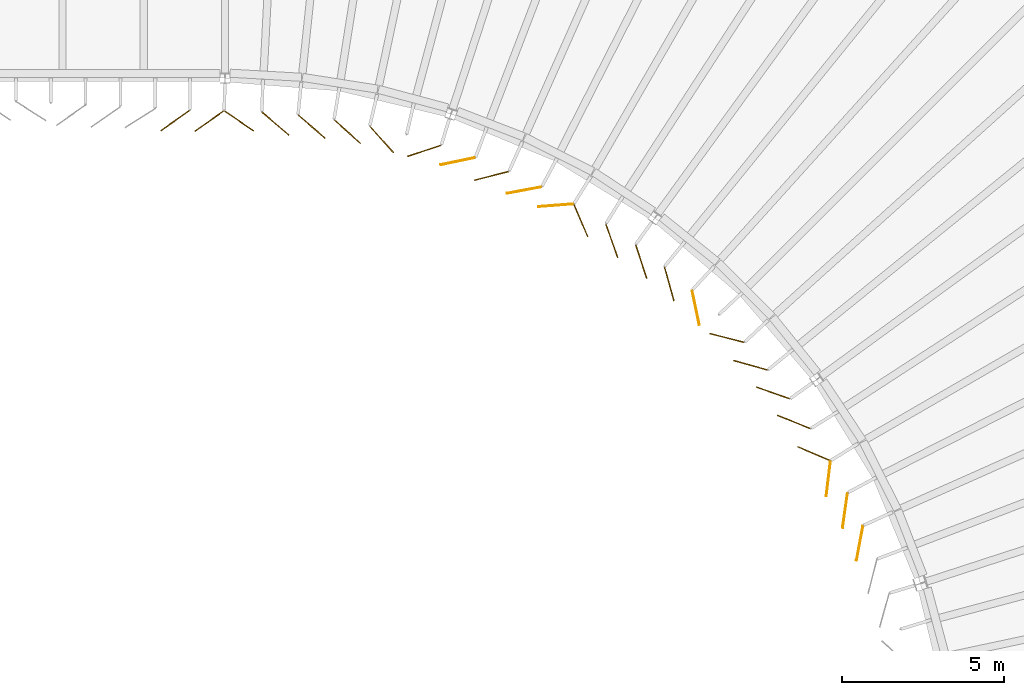
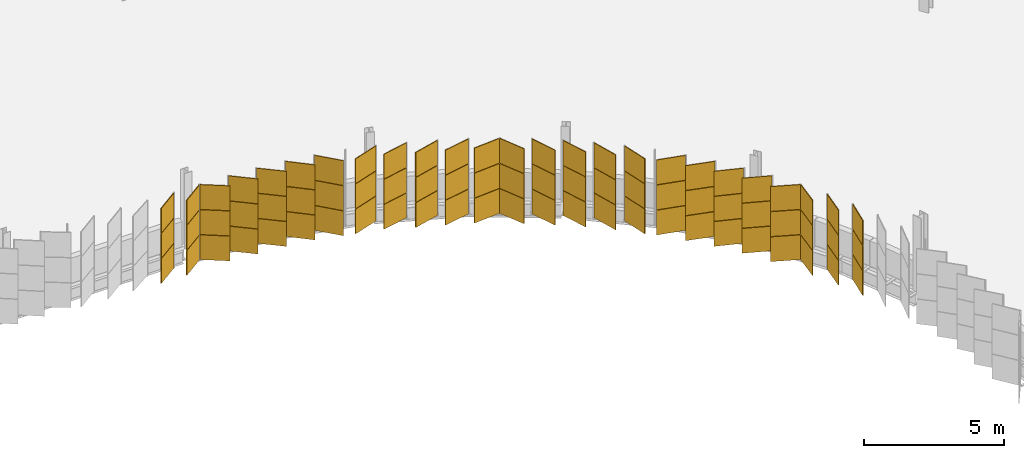
# One storey, part 208 of 214: 75 coverings.
"""IFC4 building model written with IfcOpenShell, lengths in metres."""

from ifc_helpers import new_model, si_unit, direction, frame, origin, origin_2d, place, context, subcontext, project, spatial, rectangle, extrude, material, layer, layer_set, type_object, element, save


model = new_model("IFC4")

# Units and contexts
model_context = context("Model", 3, precision=1e-05, world=origin(), true_north=direction((0.0, 1.0)))
body_context = subcontext(model_context, "Body", "Model", "MODEL_VIEW")
ifc_project = project(units=[si_unit("LENGTHUNIT", "METRE"), si_unit("AREAUNIT", "SQUARE_METRE"), si_unit("VOLUMEUNIT", "CUBIC_METRE"), si_unit("PLANEANGLEUNIT", "RADIAN"), si_unit("MASSUNIT", "GRAM", prefix="KILO")], contexts=[model_context])

# Site, building, storey
site_placement = place(None, origin())
site = spatial("IfcSite", under=ifc_project, at=site_placement, CompositionType="ELEMENT")
building_placement = place(site_placement, origin())
building = spatial("IfcBuilding", under=site, at=building_placement, Name="Parallax Yard Mobility Hub", CompositionType="ELEMENT")
storey_placement = place(building_placement, frame((0.0, 0.0, 3.300048828125)))
storey = spatial("IfcBuildingStorey", under=building, at=storey_placement, Name="L01", CompositionType="ELEMENT", Elevation=3.300048828125)

# Coverings
ifc_material_1 = material(Name="Aluminium panel, light oak finish", Category="aluminium")
ifc_layer_1 = layer(ifc_material_1, 0.030029296875)
ifc_layer_set_1 = layer_set([ifc_layer_1], Name="Skin panel 32.5 degree turn, oak finish")
covering_type_1 = type_object("IfcCoveringType", Name="Skin panel 32.5 degree turn, oak finish", PredefinedType="CLADDING", material=ifc_layer_set_1)
for number, where, z_axis, x_axis, name in (
    (1, (172.931396484375, 111.186279296875, 1.119873046875), (0.0, 0.0, 1.0), (0.825359933085, -0.564606925974, 0.0), "Skin panel 32.5 bay 18.1 row 2 level L01"),
    (2, (172.931396484375, 111.186279296875, 2.219970703125), (0.0, 0.0, 1.0), (0.825359933085, -0.564606925974, 0.0), "Skin panel 32.5 bay 18.1 row 3 level L01"),
    (3, (176.2685546875, 110.853759765625, 1.119873046875), (0.0, 0.0, 1.0), (0.744602872292, -0.66750772473, 0.0), "Skin panel 32.5 bay 18.4 row 2 level L01"),
    (4, (176.2685546875, 110.853759765625, 2.219970703125), (0.0, 0.0, 1.0), (0.744602872292, -0.66750772473, 0.0), "Skin panel 32.5 bay 18.4 row 3 level L01"),
    (5, (179.660400390625, 109.945068359375, 1.119873046875), (0.0, 0.0, 1.0), (-0.978598865501, -0.205777210692, 0.0), "Skin panel 32.5 bay 19.1 row 2 level L01"),
    (6, (179.660400390625, 109.945068359375, 2.219970703125), (0.0, 0.0, 1.0), (-0.978598865501, -0.205777210692, 0.0), "Skin panel 32.5 bay 19.1 row 3 level L01"),
    (7, (182.67578125, 108.588623046875, 1.119873046875), (0.0, 0.0, 1.0), (-0.997086132304, -0.076283974504, 0.0), "Skin panel 32.5 bay 19.4 row 2 level L01"),
    (8, (182.67578125, 108.588623046875, 2.219970703125), (0.0, 0.0, 1.0), (-0.997086132304, -0.076283974504, 0.0), "Skin panel 32.5 bay 19.4 row 3 level L01"),
    (9, (185.3076171875, 106.852783203125, 1.119873046875), (0.0, 0.0, 1.0), (0.311091140771, -0.950380082985, 0.0), "Skin panel 32.5 bay 20.1 row 2 level L01"),
    (10, (185.3076171875, 106.852783203125, 2.219970703125), (0.0, 0.0, 1.0), (0.311091140771, -0.950380082985, 0.0), "Skin panel 32.5 bay 20.1 row 3 level L01"),
    (11, (187.9423828125, 104.5087890625, 1.119873046875), (0.0, 0.0, 1.0), (-0.968691580357, 0.248267239374, 0.0), "Skin panel 32.5 bay 20.4 row 2 level L01"),
    (12, (187.9423828125, 104.5087890625, 2.219970703125), (0.0, 0.0, 1.0), (-0.968691580357, 0.248267239374, 0.0), "Skin panel 32.5 bay 20.4 row 3 level L01"),
    (13, (190.001220703125, 101.924560546875, 1.119873046875), (0.0, 0.0, 1.0), (-0.927998912192, 0.372582902144, 0.0), "Skin panel 32.5 bay 21.1 row 2 level L01"),
    (14, (190.001220703125, 101.924560546875, 2.219970703125), (0.0, 0.0, 1.0), (-0.927998912192, 0.372582902144, 0.0), "Skin panel 32.5 bay 21.1 row 3 level L01"),
    (15, (191.577392578125, 99.1943359375, 1.119873046875), (0.0, 0.0, 1.0), (-0.141333197824, -0.989962083715, 0.0), "Skin panel 32.5 bay 21.4 row 2 level L01"),
    (16, (191.577392578125, 99.1943359375, 2.219970703125), (0.0, 0.0, 1.0), (-0.141333197824, -0.989962083715, 0.0), "Skin panel 32.5 bay 21.4 row 3 level L01"),
):
    element("IfcCovering", number, at=place(storey_placement, frame(where, z_axis=z_axis, x_axis=x_axis)), inside=storey, type_object=covering_type_1, Name=name, ObjectType="SCREEN", PredefinedType="CLADDING", context=body_context, shape_type="SweptSolid", body=[
        extrude(rectangle(XDim=1.080078125, YDim=0.030029296875, at=origin_2d()), origin(), (0.0, 0.0, 1.0), 1.080078125),
    ])
ifc_material_2 = material(Name="Aluminium panel, walnut finish", Category="aluminium")
ifc_layer_2 = layer(ifc_material_2, 0.030029296875)
ifc_layer_set_2 = layer_set([ifc_layer_2], Name="Skin panel 32.5 degree turn, walnut finish")
covering_type_2 = type_object("IfcCoveringType", Name="Skin panel 32.5 degree turn, walnut finish", PredefinedType="CLADDING", material=ifc_layer_set_2)
for number, where, z_axis, x_axis, name in (
    (17, (172.931396484375, 111.186279296875, 0.02001953125), (0.0, 0.0, 1.0), (0.825359933085, -0.564606925974, 0.0), "Skin panel 32.5 bay 18.1 row 1 level L01"),
    (18, (176.2685546875, 110.853759765625, 0.02001953125), (0.0, 0.0, 1.0), (0.744602872292, -0.66750772473, 0.0), "Skin panel 32.5 bay 18.4 row 1 level L01"),
    (19, (179.660400390625, 109.945068359375, 0.02001953125), (0.0, 0.0, 1.0), (-0.978598865501, -0.205777210692, 0.0), "Skin panel 32.5 bay 19.1 row 1 level L01"),
    (20, (182.67578125, 108.588623046875, 0.02001953125), (0.0, 0.0, 1.0), (-0.997086132304, -0.076283974504, 0.0), "Skin panel 32.5 bay 19.4 row 1 level L01"),
    (21, (185.3076171875, 106.852783203125, 0.02001953125), (0.0, 0.0, 1.0), (0.311091140771, -0.950380082985, 0.0), "Skin panel 32.5 bay 20.1 row 1 level L01"),
    (22, (187.9423828125, 104.5087890625, 0.02001953125), (0.0, 0.0, 1.0), (-0.968691580357, 0.248267239374, 0.0), "Skin panel 32.5 bay 20.4 row 1 level L01"),
    (23, (190.001220703125, 101.924560546875, 0.02001953125), (0.0, 0.0, 1.0), (-0.927998912192, 0.372582902144, 0.0), "Skin panel 32.5 bay 21.1 row 1 level L01"),
    (24, (191.577392578125, 99.1943359375, 0.02001953125), (0.0, 0.0, 1.0), (-0.141333197824, -0.989962083715, 0.0), "Skin panel 32.5 bay 21.4 row 1 level L01"),
):
    element("IfcCovering", number, at=place(storey_placement, frame(where, z_axis=z_axis, x_axis=x_axis)), inside=storey, type_object=covering_type_2, Name=name, ObjectType="SCREEN", PredefinedType="CLADDING", context=body_context, shape_type="SweptSolid", body=[
        extrude(rectangle(XDim=1.080078125, YDim=0.030029296875, at=origin_2d()), origin(), (0.0, 0.0, 1.0), 1.080078125),
    ])
ifc_layer_3 = layer(ifc_material_1, 0.030029296875)
ifc_layer_set_3 = layer_set([ifc_layer_3], Name="Skin panel 35 degree turn, oak finish")
covering_type_3 = type_object("IfcCoveringType", Name="Skin panel 35 degree turn, oak finish", PredefinedType="CLADDING", material=ifc_layer_set_3)
for number, where, z_axis, x_axis, name in (
    (25, (170.968017578125, 111.197021484375, 1.119873046875), (0.0, 0.0, 1.0), (-0.819152044289, -0.573576436351, 0.0), "Skin panel 35 bay 17.6 row 2 level L01"),
    (26, (170.968017578125, 111.197021484375, 2.219970703125), (0.0, 0.0, 1.0), (-0.819152044289, -0.573576436351, 0.0), "Skin panel 35 bay 17.6 row 3 level L01"),
    (27, (172.0166015625, 111.181396484375, 1.119873046875), (0.0, 0.0, 1.0), (-0.819152044289, -0.573576436351, 0.0), "Skin panel 35 bay 17.7 row 2 level L01"),
    (28, (172.0166015625, 111.181396484375, 2.219970703125), (0.0, 0.0, 1.0), (-0.819152044289, -0.573576436351, 0.0), "Skin panel 35 bay 17.7 row 3 level L01"),
    (29, (174.056884765625, 111.10009765625, 1.119873046875), (0.0, 0.0, 1.0), (0.758987281247, -0.651105449912, 0.0), "Skin panel 35 bay 18.2 row 2 level L01"),
    (30, (174.056884765625, 111.10009765625, 2.219970703125), (0.0, 0.0, 1.0), (0.758987281247, -0.651105449912, 0.0), "Skin panel 35 bay 18.2 row 3 level L01"),
    (31, (175.169677734375, 111.00830078125, 1.119873046875), (0.0, 0.0, 1.0), (0.758987281247, -0.651105449912, 0.0), "Skin panel 35 bay 18.3 row 2 level L01"),
    (32, (175.169677734375, 111.00830078125, 2.219970703125), (0.0, 0.0, 1.0), (0.758987281247, -0.651105449912, 0.0), "Skin panel 35 bay 18.3 row 3 level L01"),
    (33, (177.324462890625, 110.61181640625, 1.119873046875), (0.0, 0.0, 1.0), (0.66750772473, -0.744602872292, 0.0), "Skin panel 35 bay 18.5 row 2 level L01"),
    (34, (177.324462890625, 110.61181640625, 2.219970703125), (0.0, 0.0, 1.0), (0.66750772473, -0.744602872292, 0.0), "Skin panel 35 bay 18.5 row 3 level L01"),
    (35, (178.62548828125, 110.26318359375, 1.119873046875), (0.0, 0.0, 1.0), (-0.950380082985, -0.311091140771, 0.0), "Skin panel 35 bay 18.6 row 2 level L01"),
    (36, (178.62548828125, 110.26318359375, 2.219970703125), (0.0, 0.0, 1.0), (-0.950380082985, -0.311091140771, 0.0), "Skin panel 35 bay 18.6 row 3 level L01"),
    (37, (180.697021484375, 109.494384765625, 1.119873046875), (0.0, 0.0, 1.0), (-0.968691580357, -0.248267239374, 0.0), "Skin panel 35 bay 19.2 row 2 level L01"),
    (38, (180.697021484375, 109.494384765625, 2.219970703125), (0.0, 0.0, 1.0), (-0.968691580357, -0.248267239374, 0.0), "Skin panel 35 bay 19.2 row 3 level L01"),
    (39, (181.6982421875, 109.053466796875, 1.119873046875), (0.0, 0.0, 1.0), (-0.982854991665, -0.184380219543, 0.0), "Skin panel 35 bay 19.3 row 2 level L01"),
    (40, (181.6982421875, 109.053466796875, 2.219970703125), (0.0, 0.0, 1.0), (-0.982854991665, -0.184380219543, 0.0), "Skin panel 35 bay 19.3 row 3 level L01"),
    (41, (183.448974609375, 108.119384765625, 1.119873046875), (0.0, 0.0, 1.0), (0.392738427085, -0.919650220405, 0.0), "Skin panel 35 bay 19.5 row 2 level L01"),
    (42, (183.448974609375, 108.119384765625, 2.219970703125), (0.0, 0.0, 1.0), (0.392738427085, -0.919650220405, 0.0), "Skin panel 35 bay 19.5 row 3 level L01"),
    (43, (184.402099609375, 107.492431640625, 1.119873046875), (0.0, 0.0, 1.0), (0.331749541753, -0.94336750079, 0.0), "Skin panel 35 bay 19.6 row 2 level L01"),
    (44, (184.402099609375, 107.492431640625, 2.219970703125), (0.0, 0.0, 1.0), (0.331749541753, -0.94336750079, 0.0), "Skin panel 35 bay 19.6 row 3 level L01"),
    (45, (186.169677734375, 106.16650390625, 1.119873046875), (0.0, 0.0, 1.0), (0.269340053953, -0.963045136708, 0.0), "Skin panel 35 bay 20.2 row 2 level L01"),
    (46, (186.169677734375, 106.16650390625, 2.219970703125), (0.0, 0.0, 1.0), (0.269340053953, -0.963045136708, 0.0), "Skin panel 35 bay 20.2 row 3 level L01"),
    (47, (186.985595703125, 105.4365234375, 1.119873046875), (0.0, 0.0, 1.0), (0.205777210692, -0.978598865501, 0.0), "Skin panel 35 bay 20.3 row 2 level L01"),
    (48, (186.985595703125, 105.4365234375, 2.219970703125), (0.0, 0.0, 1.0), (0.205777210692, -0.978598865501, 0.0), "Skin panel 35 bay 20.3 row 3 level L01"),
    (49, (188.666748046875, 103.669189453125, 1.119873046875), (0.0, 0.0, 1.0), (-0.963045136708, 0.269340053953, 0.0), "Skin panel 35 bay 20.5 row 2 level L01"),
    (50, (188.666748046875, 103.669189453125, 2.219970703125), (0.0, 0.0, 1.0), (-0.963045136708, 0.269340053953, 0.0), "Skin panel 35 bay 20.5 row 3 level L01"),
    (51, (189.35693359375, 102.81884765625, 1.119873046875), (0.0, 0.0, 1.0), (-0.94336750079, 0.331749541753, 0.0), "Skin panel 35 bay 20.6 row 2 level L01"),
    (52, (189.35693359375, 102.81884765625, 2.219970703125), (0.0, 0.0, 1.0), (-0.94336750079, 0.331749541753, 0.0), "Skin panel 35 bay 20.6 row 3 level L01"),
    (53, (190.619384765625, 100.94873046875, 1.119873046875), (0.0, 0.0, 1.0), (-0.919650220405, 0.392738427085, 0.0), "Skin panel 35 bay 21.2 row 2 level L01"),
    (54, (190.619384765625, 100.94873046875, 2.219970703125), (0.0, 0.0, 1.0), (-0.919650220405, 0.392738427085, 0.0), "Skin panel 35 bay 21.2 row 3 level L01"),
    (55, (191.064453125, 100.177978515625, 1.119873046875), (0.0, 0.0, 1.0), (-0.119703655305, -0.992809667009, 0.0), "Skin panel 35 bay 21.3 row 2 level L01"),
    (56, (191.064453125, 100.177978515625, 2.219970703125), (0.0, 0.0, 1.0), (-0.119703655305, -0.992809667009, 0.0), "Skin panel 35 bay 21.3 row 3 level L01"),
    (57, (192.02978515625, 98.189208984375, 1.119873046875), (0.0, 0.0, 1.0), (-0.184380219543, -0.982854991665, 0.0), "Skin panel 35 bay 21.5 row 2 level L01"),
    (58, (192.02978515625, 98.189208984375, 2.219970703125), (0.0, 0.0, 1.0), (-0.184380219543, -0.982854991665, 0.0), "Skin panel 35 bay 21.5 row 3 level L01"),
):
    element("IfcCovering", number, at=place(storey_placement, frame(where, z_axis=z_axis, x_axis=x_axis)), inside=storey, type_object=covering_type_3, Name=name, ObjectType="SCREEN", PredefinedType="CLADDING", context=body_context, shape_type="SweptSolid", body=[
        extrude(rectangle(XDim=1.080078125, YDim=0.030029296875, at=origin_2d()), origin(), (0.0, 0.0, 1.0), 1.080078125),
    ])
ifc_layer_4 = layer(ifc_material_2, 0.030029296875)
ifc_layer_set_4 = layer_set([ifc_layer_4], Name="Skin panel 35 degree turn, walnut finish")
covering_type_4 = type_object("IfcCoveringType", Name="Skin panel 35 degree turn, walnut finish", PredefinedType="CLADDING", material=ifc_layer_set_4)
for number, where, z_axis, x_axis, name in (
    (59, (170.968017578125, 111.197021484375, 0.02001953125), (0.0, 0.0, 1.0), (-0.819152044289, -0.573576436351, 0.0), "Skin panel 35 bay 17.6 row 1 level L01"),
    (60, (172.0166015625, 111.181396484375, 0.02001953125), (0.0, 0.0, 1.0), (-0.819152044289, -0.573576436351, 0.0), "Skin panel 35 bay 17.7 row 1 level L01"),
    (61, (174.056884765625, 111.10009765625, 0.02001953125), (0.0, 0.0, 1.0), (0.758987281247, -0.651105449912, 0.0), "Skin panel 35 bay 18.2 row 1 level L01"),
    (62, (175.169677734375, 111.00830078125, 0.02001953125), (0.0, 0.0, 1.0), (0.758987281247, -0.651105449912, 0.0), "Skin panel 35 bay 18.3 row 1 level L01"),
    (63, (177.324462890625, 110.61181640625, 0.02001953125), (0.0, 0.0, 1.0), (0.66750772473, -0.744602872292, 0.0), "Skin panel 35 bay 18.5 row 1 level L01"),
    (64, (178.62548828125, 110.26318359375, 0.02001953125), (0.0, 0.0, 1.0), (-0.950380082985, -0.311091140771, 0.0), "Skin panel 35 bay 18.6 row 1 level L01"),
    (65, (180.697021484375, 109.494384765625, 0.02001953125), (0.0, 0.0, 1.0), (-0.968691580357, -0.248267239374, 0.0), "Skin panel 35 bay 19.2 row 1 level L01"),
    (66, (181.6982421875, 109.053466796875, 0.02001953125), (0.0, 0.0, 1.0), (-0.982854991665, -0.184380219543, 0.0), "Skin panel 35 bay 19.3 row 1 level L01"),
    (67, (183.448974609375, 108.119384765625, 0.02001953125), (0.0, 0.0, 1.0), (0.392738427085, -0.919650220405, 0.0), "Skin panel 35 bay 19.5 row 1 level L01"),
    (68, (184.402099609375, 107.492431640625, 0.02001953125), (0.0, 0.0, 1.0), (0.331749541753, -0.94336750079, 0.0), "Skin panel 35 bay 19.6 row 1 level L01"),
    (69, (186.169677734375, 106.16650390625, 0.02001953125), (0.0, 0.0, 1.0), (0.269340053953, -0.963045136708, 0.0), "Skin panel 35 bay 20.2 row 1 level L01"),
    (70, (186.985595703125, 105.4365234375, 0.02001953125), (0.0, 0.0, 1.0), (0.205777210692, -0.978598865501, 0.0), "Skin panel 35 bay 20.3 row 1 level L01"),
    (71, (188.666748046875, 103.669189453125, 0.02001953125), (0.0, 0.0, 1.0), (-0.963045136708, 0.269340053953, 0.0), "Skin panel 35 bay 20.5 row 1 level L01"),
    (72, (189.35693359375, 102.81884765625, 0.02001953125), (0.0, 0.0, 1.0), (-0.94336750079, 0.331749541753, 0.0), "Skin panel 35 bay 20.6 row 1 level L01"),
    (73, (190.619384765625, 100.94873046875, 0.02001953125), (0.0, 0.0, 1.0), (-0.919650220405, 0.392738427085, 0.0), "Skin panel 35 bay 21.2 row 1 level L01"),
    (74, (191.064453125, 100.177978515625, 0.02001953125), (0.0, 0.0, 1.0), (-0.119703655305, -0.992809667009, 0.0), "Skin panel 35 bay 21.3 row 1 level L01"),
    (75, (192.02978515625, 98.189208984375, 0.02001953125), (0.0, 0.0, 1.0), (-0.184380219543, -0.982854991665, 0.0), "Skin panel 35 bay 21.5 row 1 level L01"),
):
    element("IfcCovering", number, at=place(storey_placement, frame(where, z_axis=z_axis, x_axis=x_axis)), inside=storey, type_object=covering_type_4, Name=name, ObjectType="SCREEN", PredefinedType="CLADDING", context=body_context, shape_type="SweptSolid", body=[
        extrude(rectangle(XDim=1.080078125, YDim=0.030029296875, at=origin_2d()), origin(), (0.0, 0.0, 1.0), 1.080078125),
    ])

save(model, "model.ifc")
